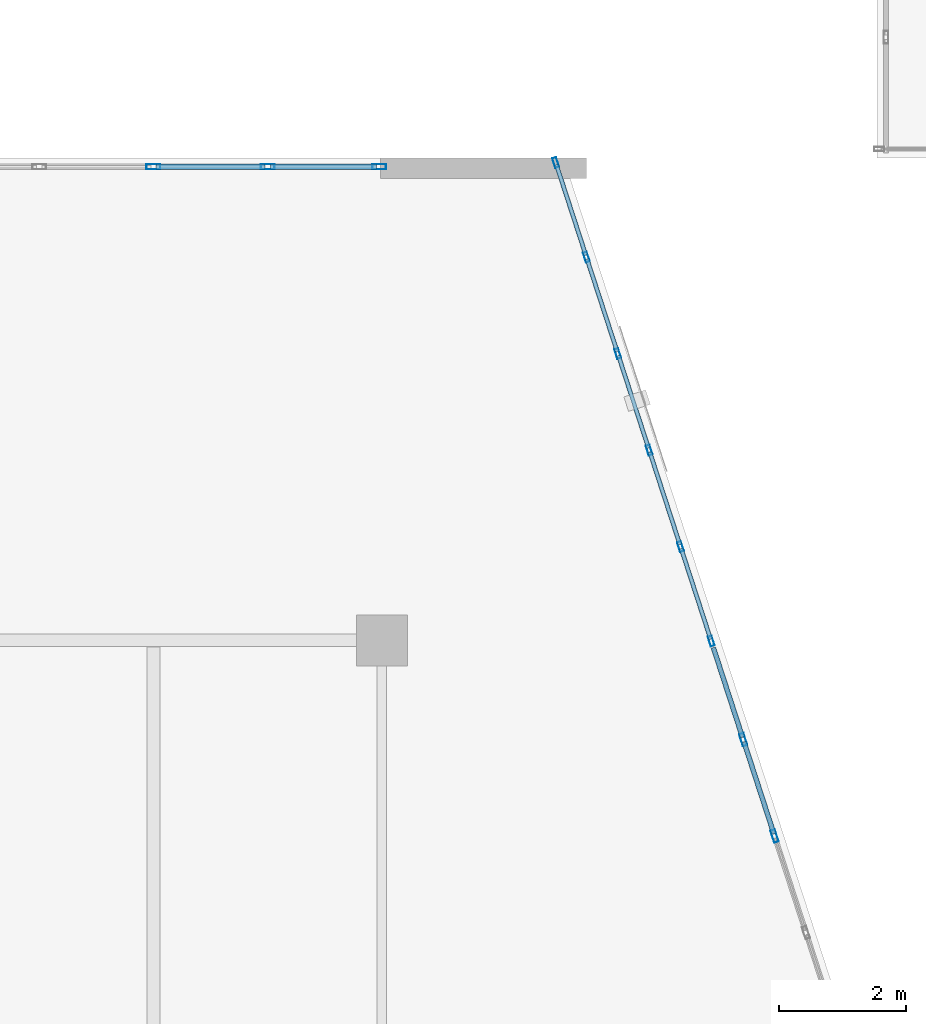
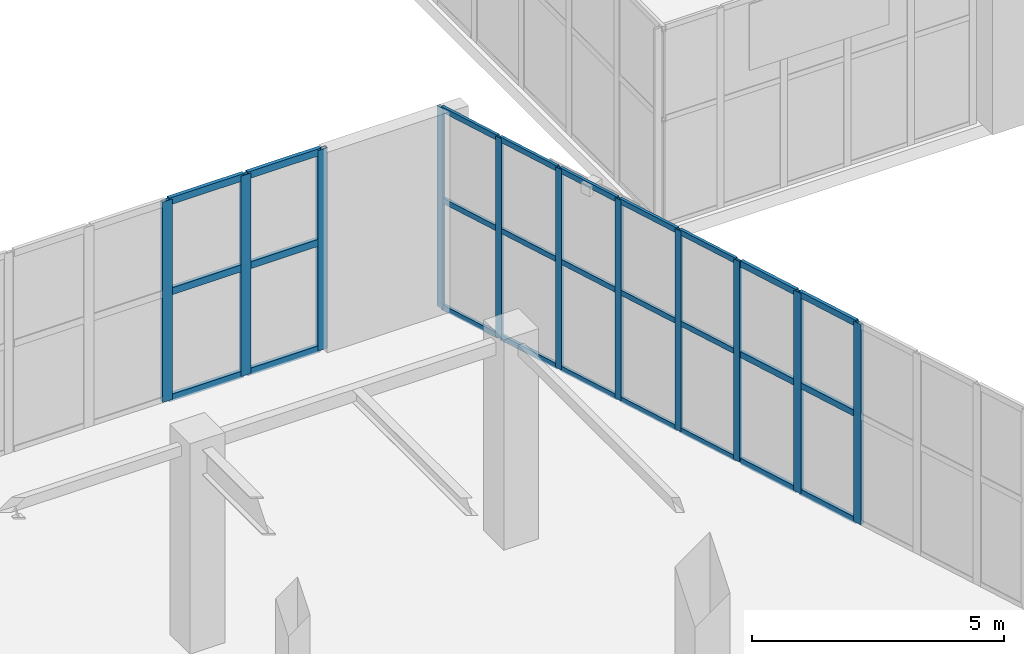
# One storey, part 71 of 128: 38 members, 3 elements without a shape of their own.
"""IFC4 building model written with IfcOpenShell, lengths in metres."""

from ifc_helpers import new_model, si_unit, direction, frame, origin, origin_2d, place, context, subcontext, project, spatial, hollow_rectangle, extrude, material, layer, layer_set, material_profile, profile_set, type_object, element, aggregate, save


model = new_model("IFC4")

# Units and contexts
model_context = context("Model", 3, precision=1e-05, world=origin(), true_north=direction((0.0, 1.0)))
body_context = subcontext(model_context, "Body", "Model", "MODEL_VIEW")
ifc_project = project(units=[si_unit("LENGTHUNIT", "METRE"), si_unit("AREAUNIT", "SQUARE_METRE"), si_unit("VOLUMEUNIT", "CUBIC_METRE"), si_unit("PLANEANGLEUNIT", "RADIAN"), si_unit("MASSUNIT", "GRAM", prefix="KILO")], contexts=[model_context])

# Site, building, storey
site_placement = place(None, origin())
site = spatial("IfcSite", under=ifc_project, at=site_placement, CompositionType="ELEMENT")
building_placement = place(site_placement, origin())
building = spatial("IfcBuilding", under=site, at=building_placement, Name="Xicomal Pleat Aquarium", CompositionType="ELEMENT")
storey_placement = place(building_placement, frame((0.0, 0.0, 5.39990234375)))
storey = spatial("IfcBuildingStorey", under=building, at=storey_placement, Name="L02", CompositionType="ELEMENT", Elevation=5.39990234375)

# Curtain wall, members
ifc_material_1 = material(Name="Bronze anodized aluminium 6063-T6", Category="aluminium")
ifc_layer_1 = layer(ifc_material_1, 0.159912109375)
ifc_layer_set_1 = layer_set([ifc_layer_1], Name="Bronze anodized aluminium 6063-T6")
curtain_wall_type_1 = type_object("IfcCurtainWallType", Name="CW-SYS-02", PredefinedType="NOTDEFINED", material=ifc_layer_set_1)
curtain_wall_1_placement = place(storey_placement, origin())
curtain_wall_1 = element("IfcCurtainWall", 1, at=curtain_wall_1_placement, inside=storey, type_object=curtain_wall_type_1, Name="L02 unitised curtain wall CW-L02-111", PredefinedType="NOTDEFINED")
ifc_material_2 = material(Name="Bronze anodized aluminium 6063-T6", Category="aluminium")
ifc_material_profile_1 = material_profile(ifc_material_2, hollow_rectangle(XDim=0.06494140625, YDim=0.159912109375, WallThickness=0.00390625, at=origin_2d()), Name="ALU MULL 65x160")
ifc_profile_set_1 = profile_set([ifc_material_profile_1], Name="Bronze anodized aluminium 6063-T6")
member_type_1 = type_object("IfcMemberType", Name="CWM-65x160", PredefinedType="MULLION", material=ifc_profile_set_1)
member_1_placement = place(storey_placement, frame((120.93701171875, 75.926025390625, 0.0), z_axis=(0.0, 0.0, 1.0), x_axis=(0.95103406873, 0.309086072339, 0.0)))
member_1 = element("IfcMember", 2, at=member_1_placement, type_object=member_type_1, Name="CW-02 mullion 1", PredefinedType="MULLION", context=body_context, shape_type="SweptSolid", body=[
    extrude(hollow_rectangle(XDim=0.06494140625, YDim=0.159912109375, WallThickness=0.00390625, at=origin_2d()), origin(), (0.0, 0.0, 1.0), 4.860107421875),
])
member_2_placement = place(storey_placement, frame((121.4208984375, 74.43701171875, 0.0), z_axis=(0.0, 0.0, 1.0), x_axis=(0.95103406873, 0.309086072339, 0.0)))
member_2 = element("IfcMember", 3, at=member_2_placement, type_object=member_type_1, Name="CW-02 mullion 2", PredefinedType="MULLION", context=body_context, shape_type="SweptSolid", body=[
    extrude(hollow_rectangle(XDim=0.06494140625, YDim=0.159912109375, WallThickness=0.00390625, at=origin_2d()), origin(), (0.0, 0.0, 1.0), 4.860107421875),
])
member_3_placement = place(storey_placement, frame((121.9150390625, 72.9169921875, 0.0), z_axis=(0.0, 0.0, 1.0), x_axis=(0.95103406873, 0.309086072339, 0.0)))
member_3 = element("IfcMember", 4, at=member_3_placement, type_object=member_type_1, Name="CW-02 mullion 3", PredefinedType="MULLION", context=body_context, shape_type="SweptSolid", body=[
    extrude(hollow_rectangle(XDim=0.06494140625, YDim=0.159912109375, WallThickness=0.00390625, at=origin_2d()), origin(), (0.0, 0.0, 1.0), 4.860107421875),
])
member_4_placement = place(storey_placement, frame((122.408935546875, 71.39697265625, 0.0), z_axis=(0.0, 0.0, 1.0), x_axis=(0.95103406873, 0.309086072339, 0.0)))
member_4 = element("IfcMember", 5, at=member_4_placement, type_object=member_type_1, Name="CW-02 mullion 4", PredefinedType="MULLION", context=body_context, shape_type="SweptSolid", body=[
    extrude(hollow_rectangle(XDim=0.06494140625, YDim=0.159912109375, WallThickness=0.00390625, at=origin_2d()), origin(), (0.0, 0.0, 1.0), 4.860107421875),
])
member_5_placement = place(storey_placement, frame((122.903076171875, 69.876953125, 0.0), z_axis=(0.0, 0.0, 1.0), x_axis=(0.95103406873, 0.309086072339, 0.0)))
member_5 = element("IfcMember", 6, at=member_5_placement, type_object=member_type_1, Name="CW-02 mullion 5", PredefinedType="MULLION", context=body_context, shape_type="SweptSolid", body=[
    extrude(hollow_rectangle(XDim=0.06494140625, YDim=0.159912109375, WallThickness=0.00390625, at=origin_2d()), origin(), (0.0, 0.0, 1.0), 4.860107421875),
])
member_6_placement = place(storey_placement, frame((123.386962890625, 68.387939453125, 0.0), z_axis=(0.0, 0.0, 1.0), x_axis=(0.95103406873, 0.309086072339, 0.0)))
member_6 = element("IfcMember", 7, at=member_6_placement, type_object=member_type_1, Name="CW-02 mullion 6", PredefinedType="MULLION", context=body_context, shape_type="SweptSolid", body=[
    extrude(hollow_rectangle(XDim=0.06494140625, YDim=0.159912109375, WallThickness=0.00390625, at=origin_2d()), origin(), (0.0, 0.0, 1.0), 4.860107421875),
])

ifc_material_3 = material(Name="Bronze anodized aluminium 6063-T6", Category="aluminium")
ifc_layer_2 = layer(ifc_material_3, 0.159912109375)
ifc_layer_set_2 = layer_set([ifc_layer_2], Name="Bronze anodized aluminium 6063-T6")
curtain_wall_type_2 = type_object("IfcCurtainWallType", Name="CW-SYS-07", PredefinedType="NOTDEFINED", material=ifc_layer_set_2)
curtain_wall_2_placement = place(storey_placement, origin())
curtain_wall_2 = element("IfcCurtainWall", 8, at=curtain_wall_2_placement, inside=storey, type_object=curtain_wall_type_2, Name="L02 unitised curtain wall CW-L02-112", PredefinedType="NOTDEFINED")
ifc_material_4 = material(Name="Bronze anodized aluminium 6063-T6", Category="aluminium")
ifc_material_profile_2 = material_profile(ifc_material_4, hollow_rectangle(XDim=0.074951171875, YDim=0.199951171875, WallThickness=0.00439453125, at=origin_2d()), Name="ALU MULL 75x200")
ifc_profile_set_2 = profile_set([ifc_material_profile_2], Name="Bronze anodized aluminium 6063-T6")
member_type_2 = type_object("IfcMemberType", Name="CWM-75x200", PredefinedType="MULLION", material=ifc_profile_set_2)
member_7_placement = place(storey_placement, frame((123.89111328125, 66.8369140625, 0.0), z_axis=(0.0, 0.0, 1.0), x_axis=(0.95103406873, 0.309086072339, 0.0)))
member_7 = element("IfcMember", 9, at=member_7_placement, type_object=member_type_2, Name="CW-07 mullion 2", PredefinedType="MULLION", context=body_context, shape_type="SweptSolid", body=[
    extrude(hollow_rectangle(XDim=0.074951171875, YDim=0.199951171875, WallThickness=0.00439453125, at=origin_2d()), origin(), (0.0, 0.0, 1.0), 4.860107421875),
])
member_8_placement = place(storey_placement, frame((124.385009765625, 65.31689453125, 0.0), z_axis=(0.0, 0.0, 1.0), x_axis=(0.95103406873, 0.309086072339, 0.0)))
member_8 = element("IfcMember", 10, at=member_8_placement, type_object=member_type_2, Name="CW-07 mullion 3", PredefinedType="MULLION", context=body_context, shape_type="SweptSolid", body=[
    extrude(hollow_rectangle(XDim=0.074951171875, YDim=0.199951171875, WallThickness=0.00439453125, at=origin_2d()), origin(), (0.0, 0.0, 1.0), 4.860107421875),
])

ifc_material_5 = material(Name="Bronze anodized aluminium 6063-T6", Category="aluminium")
ifc_layer_3 = layer(ifc_material_5, 0.159912109375)
ifc_layer_set_3 = layer_set([ifc_layer_3], Name="Bronze anodized aluminium 6063-T6")
curtain_wall_type_3 = type_object("IfcCurtainWallType", Name="CW-SYS-12", PredefinedType="NOTDEFINED", material=ifc_layer_set_3)
curtain_wall_3_placement = place(storey_placement, origin())
curtain_wall_3 = element("IfcCurtainWall", 11, at=curtain_wall_3_placement, inside=storey, type_object=curtain_wall_type_3, Name="L02 unitised curtain wall CW-L02-110", PredefinedType="NOTDEFINED")
ifc_material_6 = material(Name="Bronze anodized aluminium 6063-T6", Category="aluminium")
ifc_material_profile_3 = material_profile(ifc_material_6, hollow_rectangle(XDim=0.0849609375, YDim=0.219970703125, WallThickness=0.0048828125, at=origin_2d()), Name="ALU MULL 85x220")
ifc_profile_set_3 = profile_set([ifc_material_profile_3], Name="Bronze anodized aluminium 6063-T6")
member_type_3 = type_object("IfcMemberType", Name="CWM-85x220", PredefinedType="MULLION", material=ifc_profile_set_3)
member_9_placement = place(storey_placement, frame((114.60009765625, 75.860107421875, 0.0), z_axis=(0.0, 0.0, 1.0), x_axis=(0.0, 1.0, 0.0)))
member_9 = element("IfcMember", 12, at=member_9_placement, type_object=member_type_3, Name="CW-12 mullion 3", PredefinedType="MULLION", context=body_context, shape_type="SweptSolid", body=[
    extrude(hollow_rectangle(XDim=0.0849609375, YDim=0.219970703125, WallThickness=0.0048828125, at=origin_2d()), origin(), (0.0, 0.0, 1.0), 4.860107421875),
])
member_10_placement = place(storey_placement, frame((116.39990234375, 75.860107421875, 0.0), z_axis=(0.0, 0.0, 1.0), x_axis=(0.0, 1.0, 0.0)))
member_10 = element("IfcMember", 13, at=member_10_placement, type_object=member_type_3, Name="CW-12 mullion 4", PredefinedType="MULLION", context=body_context, shape_type="SweptSolid", body=[
    extrude(hollow_rectangle(XDim=0.0849609375, YDim=0.219970703125, WallThickness=0.0048828125, at=origin_2d()), origin(), (0.0, 0.0, 1.0), 4.860107421875),
])
member_11_placement = place(storey_placement, frame((118.157470703125, 75.860107421875, 0.0), z_axis=(0.0, 0.0, 1.0), x_axis=(0.0, 1.0, 0.0)))
member_11 = element("IfcMember", 14, at=member_11_placement, type_object=member_type_3, Name="CW-12 mullion 5", PredefinedType="MULLION", context=body_context, shape_type="SweptSolid", body=[
    extrude(hollow_rectangle(XDim=0.0849609375, YDim=0.219970703125, WallThickness=0.0048828125, at=origin_2d()), origin(), (0.0, 0.0, 1.0), 4.860107421875),
])

# Member
ifc_material_7 = material(Name="Bronze anodized aluminium 6063-T6", Category="aluminium")
ifc_material_profile_4 = material_profile(ifc_material_7, hollow_rectangle(XDim=0.06494140625, YDim=0.1298828125, WallThickness=0.00390625, at=origin_2d()), Name="ALU TRAN 65x130")
ifc_profile_set_4 = profile_set([ifc_material_profile_4], Name="Bronze anodized aluminium 6063-T6")
member_type_4 = type_object("IfcMemberType", Name="CWT-65x130", PredefinedType="USERDEFINED", material=ifc_profile_set_4)
member_12_placement = place(storey_placement, frame((120.947021484375, 75.895263671875, 0.03271484375), z_axis=(0.309093429287, -0.951031677691, 0.0), x_axis=(0.951031677691, 0.309093429287, 0.0)))
member_12 = element("IfcMember", 15, at=member_12_placement, type_object=member_type_4, Name="CW-02 transom 1.1", ObjectType="TRANSOM", PredefinedType="USERDEFINED", context=body_context, shape_type="SweptSolid", body=[
    extrude(hollow_rectangle(XDim=0.06494140625, YDim=0.1298828125, WallThickness=0.00390625, at=origin_2d()), origin(), (0.0, 0.0, 1.0), 1.500732421875),
])

member_13_placement = place(storey_placement, frame((120.947021484375, 75.895263671875, 2.6240234375), z_axis=(0.309093429287, -0.951031677691, 0.0), x_axis=(0.951031677691, 0.309093429287, 0.0)))
member_13 = element("IfcMember", 16, at=member_13_placement, type_object=member_type_4, Name="CW-02 transom 1.2", ObjectType="TRANSOM", PredefinedType="USERDEFINED", context=body_context, shape_type="SweptSolid", body=[
    extrude(hollow_rectangle(XDim=0.06494140625, YDim=0.1298828125, WallThickness=0.00390625, at=origin_2d()), origin(), (0.0, 0.0, 1.0), 1.500732421875),
])

member_14_placement = place(storey_placement, frame((120.947021484375, 75.895263671875, 4.82763671875), z_axis=(0.309093429287, -0.951031677691, 0.0), x_axis=(0.951031677691, 0.309093429287, 0.0)))
member_14 = element("IfcMember", 17, at=member_14_placement, type_object=member_type_4, Name="CW-02 transom 1.3", ObjectType="TRANSOM", PredefinedType="USERDEFINED", context=body_context, shape_type="SweptSolid", body=[
    extrude(hollow_rectangle(XDim=0.06494140625, YDim=0.1298828125, WallThickness=0.00390625, at=origin_2d()), origin(), (0.0, 0.0, 1.0), 1.500732421875),
])

member_15_placement = place(storey_placement, frame((121.430908203125, 74.406005859375, 0.03271484375), z_axis=(0.30924449811, -0.950982565765, 0.0), x_axis=(0.950982565765, 0.30924449811, 0.0)))
member_15 = element("IfcMember", 18, at=member_15_placement, type_object=member_type_4, Name="CW-02 transom 2.1", ObjectType="TRANSOM", PredefinedType="USERDEFINED", context=body_context, shape_type="SweptSolid", body=[
    extrude(hollow_rectangle(XDim=0.06494140625, YDim=0.1298828125, WallThickness=0.00390625, at=origin_2d()), origin(), (0.0, 0.0, 1.0), 1.533203125),
])

member_16_placement = place(storey_placement, frame((121.430908203125, 74.406005859375, 2.6240234375), z_axis=(0.30924449811, -0.950982565765, 0.0), x_axis=(0.950982565765, 0.30924449811, 0.0)))
member_16 = element("IfcMember", 19, at=member_16_placement, type_object=member_type_4, Name="CW-02 transom 2.2", ObjectType="TRANSOM", PredefinedType="USERDEFINED", context=body_context, shape_type="SweptSolid", body=[
    extrude(hollow_rectangle(XDim=0.06494140625, YDim=0.1298828125, WallThickness=0.00390625, at=origin_2d()), origin(), (0.0, 0.0, 1.0), 1.533203125),
])

member_17_placement = place(storey_placement, frame((121.430908203125, 74.406005859375, 4.82763671875), z_axis=(0.30924449811, -0.950982565765, 0.0), x_axis=(0.950982565765, 0.30924449811, 0.0)))
member_17 = element("IfcMember", 20, at=member_17_placement, type_object=member_type_4, Name="CW-02 transom 2.3", ObjectType="TRANSOM", PredefinedType="USERDEFINED", context=body_context, shape_type="SweptSolid", body=[
    extrude(hollow_rectangle(XDim=0.06494140625, YDim=0.1298828125, WallThickness=0.00390625, at=origin_2d()), origin(), (0.0, 0.0, 1.0), 1.533203125),
])

member_18_placement = place(storey_placement, frame((121.925048828125, 72.885986328125, 0.03271484375), z_axis=(0.309100475744, -0.951029387503, 0.0), x_axis=(0.951029387503, 0.309100475744, 0.0)))
member_18 = element("IfcMember", 21, at=member_18_placement, type_object=member_type_4, Name="CW-02 transom 3.1", ObjectType="TRANSOM", PredefinedType="USERDEFINED", context=body_context, shape_type="SweptSolid", body=[
    extrude(hollow_rectangle(XDim=0.06494140625, YDim=0.1298828125, WallThickness=0.00390625, at=origin_2d()), origin(), (0.0, 0.0, 1.0), 1.533203125),
])

member_19_placement = place(storey_placement, frame((121.925048828125, 72.885986328125, 2.6240234375), z_axis=(0.309100475744, -0.951029387503, 0.0), x_axis=(0.951029387503, 0.309100475744, 0.0)))
member_19 = element("IfcMember", 22, at=member_19_placement, type_object=member_type_4, Name="CW-02 transom 3.2", ObjectType="TRANSOM", PredefinedType="USERDEFINED", context=body_context, shape_type="SweptSolid", body=[
    extrude(hollow_rectangle(XDim=0.06494140625, YDim=0.1298828125, WallThickness=0.00390625, at=origin_2d()), origin(), (0.0, 0.0, 1.0), 1.533203125),
])

member_20_placement = place(storey_placement, frame((121.925048828125, 72.885986328125, 4.82763671875), z_axis=(0.309100475744, -0.951029387503, 0.0), x_axis=(0.951029387503, 0.309100475744, 0.0)))
member_20 = element("IfcMember", 23, at=member_20_placement, type_object=member_type_4, Name="CW-02 transom 3.3", ObjectType="TRANSOM", PredefinedType="USERDEFINED", context=body_context, shape_type="SweptSolid", body=[
    extrude(hollow_rectangle(XDim=0.06494140625, YDim=0.1298828125, WallThickness=0.00390625, at=origin_2d()), origin(), (0.0, 0.0, 1.0), 1.533203125),
])

member_21_placement = place(storey_placement, frame((122.4189453125, 71.3662109375, 0.03271484375), z_axis=(0.309197674488, -0.950997790792, 0.0), x_axis=(0.950997790792, 0.309197674488, 0.0)))
member_21 = element("IfcMember", 24, at=member_21_placement, type_object=member_type_4, Name="CW-02 transom 4.1", ObjectType="TRANSOM", PredefinedType="USERDEFINED", context=body_context, shape_type="SweptSolid", body=[
    extrude(hollow_rectangle(XDim=0.06494140625, YDim=0.1298828125, WallThickness=0.00390625, at=origin_2d()), origin(), (0.0, 0.0, 1.0), 1.533447265625),
])

member_22_placement = place(storey_placement, frame((122.4189453125, 71.3662109375, 2.6240234375), z_axis=(0.309197674488, -0.950997790792, 0.0), x_axis=(0.950997790792, 0.309197674488, 0.0)))
member_22 = element("IfcMember", 25, at=member_22_placement, type_object=member_type_4, Name="CW-02 transom 4.2", ObjectType="TRANSOM", PredefinedType="USERDEFINED", context=body_context, shape_type="SweptSolid", body=[
    extrude(hollow_rectangle(XDim=0.06494140625, YDim=0.1298828125, WallThickness=0.00390625, at=origin_2d()), origin(), (0.0, 0.0, 1.0), 1.533447265625),
])

member_23_placement = place(storey_placement, frame((122.4189453125, 71.3662109375, 4.82763671875), z_axis=(0.309197674488, -0.950997790792, 0.0), x_axis=(0.950997790792, 0.309197674488, 0.0)))
member_23 = element("IfcMember", 26, at=member_23_placement, type_object=member_type_4, Name="CW-02 transom 4.3", ObjectType="TRANSOM", PredefinedType="USERDEFINED", context=body_context, shape_type="SweptSolid", body=[
    extrude(hollow_rectangle(XDim=0.06494140625, YDim=0.1298828125, WallThickness=0.00390625, at=origin_2d()), origin(), (0.0, 0.0, 1.0), 1.533447265625),
])

member_24_placement = place(storey_placement, frame((122.9130859375, 69.84619140625, 0.03271484375), z_axis=(0.309045615044, -0.9510472164, 0.0), x_axis=(0.9510472164, 0.309045615044, 0.0)))
member_24 = element("IfcMember", 27, at=member_24_placement, type_object=member_type_4, Name="CW-02 transom 5.1", ObjectType="TRANSOM", PredefinedType="USERDEFINED", context=body_context, shape_type="SweptSolid", body=[
    extrude(hollow_rectangle(XDim=0.06494140625, YDim=0.1298828125, WallThickness=0.00390625, at=origin_2d()), origin(), (0.0, 0.0, 1.0), 1.5009765625),
])

member_25_placement = place(storey_placement, frame((122.9130859375, 69.84619140625, 2.6240234375), z_axis=(0.309045615044, -0.9510472164, 0.0), x_axis=(0.9510472164, 0.309045615044, 0.0)))
member_25 = element("IfcMember", 28, at=member_25_placement, type_object=member_type_4, Name="CW-02 transom 5.2", ObjectType="TRANSOM", PredefinedType="USERDEFINED", context=body_context, shape_type="SweptSolid", body=[
    extrude(hollow_rectangle(XDim=0.06494140625, YDim=0.1298828125, WallThickness=0.00390625, at=origin_2d()), origin(), (0.0, 0.0, 1.0), 1.5009765625),
])

member_26_placement = place(storey_placement, frame((122.9130859375, 69.84619140625, 4.82763671875), z_axis=(0.309045615044, -0.9510472164, 0.0), x_axis=(0.9510472164, 0.309045615044, 0.0)))
member_26 = element("IfcMember", 29, at=member_26_placement, type_object=member_type_4, Name="CW-02 transom 5.3", ObjectType="TRANSOM", PredefinedType="USERDEFINED", context=body_context, shape_type="SweptSolid", body=[
    extrude(hollow_rectangle(XDim=0.06494140625, YDim=0.1298828125, WallThickness=0.00390625, at=origin_2d()), origin(), (0.0, 0.0, 1.0), 1.5009765625),
])

aggregate(curtain_wall_1, [member_1, member_2, member_3, member_4, member_5, member_6, member_12, member_13, member_14, member_15, member_16, member_17, member_18, member_19, member_20, member_21, member_22, member_23, member_24, member_25, member_26])

ifc_material_8 = material(Name="Bronze anodized aluminium 6063-T6", Category="aluminium")
ifc_material_profile_5 = material_profile(ifc_material_8, hollow_rectangle(XDim=0.074951171875, YDim=0.14990234375, WallThickness=0.00439453125, at=origin_2d()), Name="ALU TRAN 75x150")
ifc_profile_set_5 = profile_set([ifc_material_profile_5], Name="Bronze anodized aluminium 6063-T6")
member_type_5 = type_object("IfcMemberType", Name="CWT-75x150", PredefinedType="USERDEFINED", material=ifc_profile_set_5)
member_27_placement = place(storey_placement, frame((123.420166015625, 68.28564453125, 0.03759765625), z_axis=(0.309119515691, -0.951023198991, 0.0), x_axis=(0.951023198991, 0.309119515691, 0.0)))
member_27 = element("IfcMember", 30, at=member_27_placement, type_object=member_type_5, Name="CW-07 transom 1.1", ObjectType="TRANSOM", PredefinedType="USERDEFINED", context=body_context, shape_type="SweptSolid", body=[
    extrude(hollow_rectangle(XDim=0.074951171875, YDim=0.14990234375, WallThickness=0.00439453125, at=origin_2d()), origin(), (0.0, 0.0, 1.0), 1.485595703125),
])

member_28_placement = place(storey_placement, frame((123.420166015625, 68.28564453125, 2.6240234375), z_axis=(0.309119515691, -0.951023198991, 0.0), x_axis=(0.951023198991, 0.309119515691, 0.0)))
member_28 = element("IfcMember", 31, at=member_28_placement, type_object=member_type_5, Name="CW-07 transom 1.2", ObjectType="TRANSOM", PredefinedType="USERDEFINED", context=body_context, shape_type="SweptSolid", body=[
    extrude(hollow_rectangle(XDim=0.074951171875, YDim=0.14990234375, WallThickness=0.00439453125, at=origin_2d()), origin(), (0.0, 0.0, 1.0), 1.485595703125),
])

member_29_placement = place(storey_placement, frame((123.420166015625, 68.28564453125, 4.822509765625), z_axis=(0.309119515691, -0.951023198991, 0.0), x_axis=(0.951023198991, 0.309119515691, 0.0)))
member_29 = element("IfcMember", 32, at=member_29_placement, type_object=member_type_5, Name="CW-07 transom 1.3", ObjectType="TRANSOM", PredefinedType="USERDEFINED", context=body_context, shape_type="SweptSolid", body=[
    extrude(hollow_rectangle(XDim=0.074951171875, YDim=0.14990234375, WallThickness=0.00439453125, at=origin_2d()), origin(), (0.0, 0.0, 1.0), 1.485595703125),
])

member_30_placement = place(storey_placement, frame((123.902587890625, 66.80126953125, 0.03759765625), z_axis=(0.309053450858, -0.951044670093, 0.0), x_axis=(0.951044670093, 0.309053450858, 0.0)))
member_30 = element("IfcMember", 33, at=member_30_placement, type_object=member_type_5, Name="CW-07 transom 2.1", ObjectType="TRANSOM", PredefinedType="USERDEFINED", context=body_context, shape_type="SweptSolid", body=[
    extrude(hollow_rectangle(XDim=0.074951171875, YDim=0.14990234375, WallThickness=0.00439453125, at=origin_2d()), origin(), (0.0, 0.0, 1.0), 1.52294921875),
])

member_31_placement = place(storey_placement, frame((123.902587890625, 66.80126953125, 2.6240234375), z_axis=(0.309053450858, -0.951044670093, 0.0), x_axis=(0.951044670093, 0.309053450858, 0.0)))
member_31 = element("IfcMember", 34, at=member_31_placement, type_object=member_type_5, Name="CW-07 transom 2.2", ObjectType="TRANSOM", PredefinedType="USERDEFINED", context=body_context, shape_type="SweptSolid", body=[
    extrude(hollow_rectangle(XDim=0.074951171875, YDim=0.14990234375, WallThickness=0.00439453125, at=origin_2d()), origin(), (0.0, 0.0, 1.0), 1.52294921875),
])

member_32_placement = place(storey_placement, frame((123.902587890625, 66.80126953125, 4.822509765625), z_axis=(0.309053450858, -0.951044670093, 0.0), x_axis=(0.951044670093, 0.309053450858, 0.0)))
member_32 = element("IfcMember", 35, at=member_32_placement, type_object=member_type_5, Name="CW-07 transom 2.3", ObjectType="TRANSOM", PredefinedType="USERDEFINED", context=body_context, shape_type="SweptSolid", body=[
    extrude(hollow_rectangle(XDim=0.074951171875, YDim=0.14990234375, WallThickness=0.00439453125, at=origin_2d()), origin(), (0.0, 0.0, 1.0), 1.52294921875),
])

aggregate(curtain_wall_2, [member_7, member_8, member_27, member_28, member_29, member_30, member_31, member_32])

ifc_material_9 = material(Name="Bronze anodized aluminium 6063-T6", Category="aluminium")
ifc_material_profile_6 = material_profile(ifc_material_9, hollow_rectangle(XDim=0.0849609375, YDim=0.169921875, WallThickness=0.0048828125, at=origin_2d()), Name="ALU TRAN 85x170")
ifc_profile_set_6 = profile_set([ifc_material_profile_6], Name="Bronze anodized aluminium 6063-T6")
member_type_6 = type_object("IfcMemberType", Name="CWT-85x170", PredefinedType="USERDEFINED", material=ifc_profile_set_6)
member_33_placement = place(storey_placement, frame((114.642578125, 75.860107421875, 0.04248046875), z_axis=(1.0, 0.0, 0.0), x_axis=(0.0, 1.0, 0.0)))
member_33 = element("IfcMember", 36, at=member_33_placement, type_object=member_type_6, Name="CW-12 transom 3.1", ObjectType="TRANSOM", PredefinedType="USERDEFINED", context=body_context, shape_type="SweptSolid", body=[
    extrude(hollow_rectangle(XDim=0.0849609375, YDim=0.169921875, WallThickness=0.0048828125, at=origin_2d()), origin(), (0.0, 0.0, 1.0), 1.71484375),
])

member_34_placement = place(storey_placement, frame((114.642578125, 75.860107421875, 2.6240234375), z_axis=(1.0, 0.0, 0.0), x_axis=(0.0, 1.0, 0.0)))
member_34 = element("IfcMember", 37, at=member_34_placement, type_object=member_type_6, Name="CW-12 transom 3.2", ObjectType="TRANSOM", PredefinedType="USERDEFINED", context=body_context, shape_type="SweptSolid", body=[
    extrude(hollow_rectangle(XDim=0.0849609375, YDim=0.169921875, WallThickness=0.0048828125, at=origin_2d()), origin(), (0.0, 0.0, 1.0), 1.71484375),
])

member_35_placement = place(storey_placement, frame((114.642578125, 75.860107421875, 4.817626953125), z_axis=(1.0, 0.0, 0.0), x_axis=(0.0, 1.0, 0.0)))
member_35 = element("IfcMember", 38, at=member_35_placement, type_object=member_type_6, Name="CW-12 transom 3.3", ObjectType="TRANSOM", PredefinedType="USERDEFINED", context=body_context, shape_type="SweptSolid", body=[
    extrude(hollow_rectangle(XDim=0.0849609375, YDim=0.169921875, WallThickness=0.0048828125, at=origin_2d()), origin(), (0.0, 0.0, 1.0), 1.71484375),
])

member_36_placement = place(storey_placement, frame((116.4423828125, 75.860107421875, 0.04248046875), z_axis=(1.0, 0.0, 0.0), x_axis=(0.0, 1.0, 0.0)))
member_36 = element("IfcMember", 39, at=member_36_placement, type_object=member_type_6, Name="CW-12 transom 4.1", ObjectType="TRANSOM", PredefinedType="USERDEFINED", context=body_context, shape_type="SweptSolid", body=[
    extrude(hollow_rectangle(XDim=0.0849609375, YDim=0.169921875, WallThickness=0.0048828125, at=origin_2d()), origin(), (0.0, 0.0, 1.0), 1.672607421875),
])

member_37_placement = place(storey_placement, frame((116.4423828125, 75.860107421875, 2.6240234375), z_axis=(1.0, 0.0, 0.0), x_axis=(0.0, 1.0, 0.0)))
member_37 = element("IfcMember", 40, at=member_37_placement, type_object=member_type_6, Name="CW-12 transom 4.2", ObjectType="TRANSOM", PredefinedType="USERDEFINED", context=body_context, shape_type="SweptSolid", body=[
    extrude(hollow_rectangle(XDim=0.0849609375, YDim=0.169921875, WallThickness=0.0048828125, at=origin_2d()), origin(), (0.0, 0.0, 1.0), 1.672607421875),
])

member_38_placement = place(storey_placement, frame((116.4423828125, 75.860107421875, 4.817626953125), z_axis=(1.0, 0.0, 0.0), x_axis=(0.0, 1.0, 0.0)))
member_38 = element("IfcMember", 41, at=member_38_placement, type_object=member_type_6, Name="CW-12 transom 4.3", ObjectType="TRANSOM", PredefinedType="USERDEFINED", context=body_context, shape_type="SweptSolid", body=[
    extrude(hollow_rectangle(XDim=0.0849609375, YDim=0.169921875, WallThickness=0.0048828125, at=origin_2d()), origin(), (0.0, 0.0, 1.0), 1.672607421875),
])

aggregate(curtain_wall_3, [member_9, member_10, member_11, member_33, member_34, member_35, member_36, member_37, member_38])

save(model, "model.ifc")
